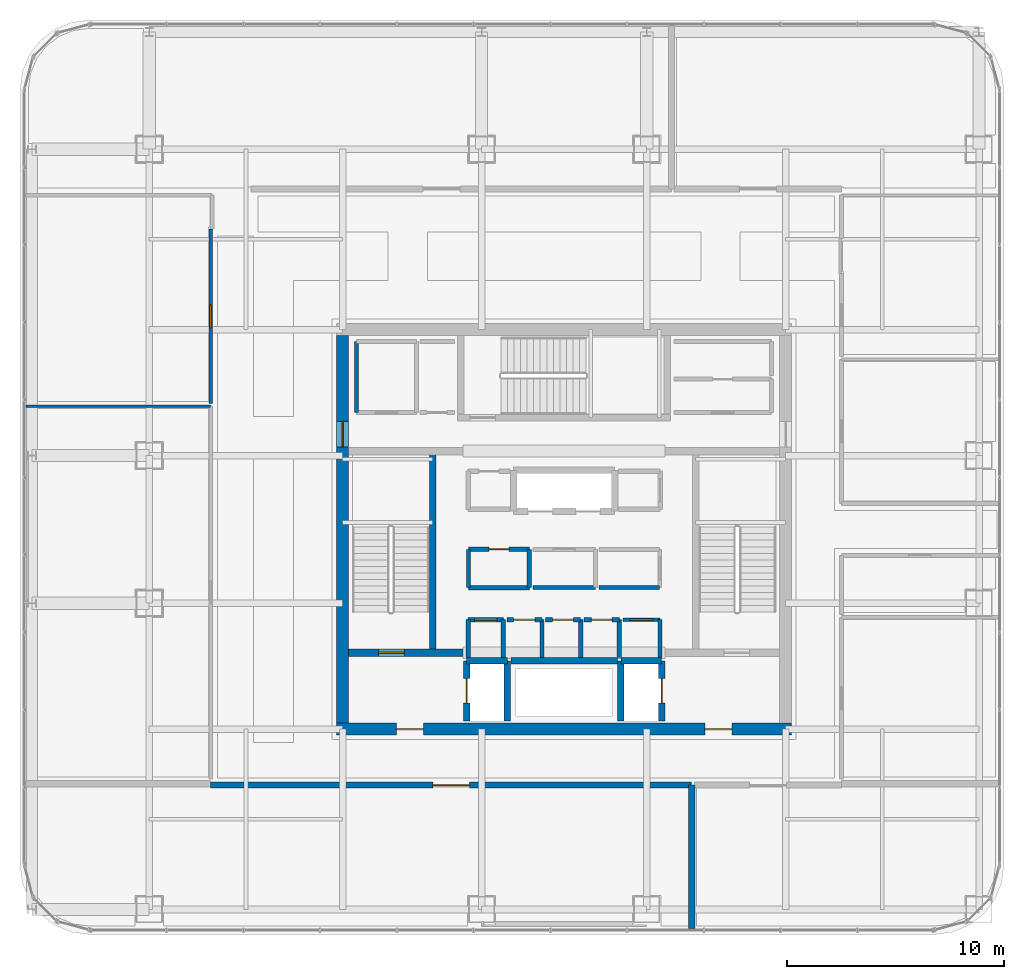
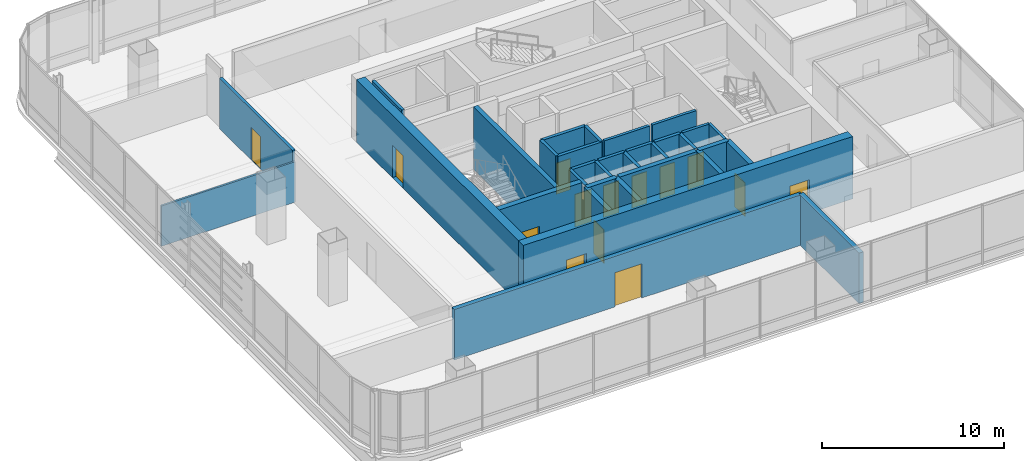
# One storey, part 34 of 42: 33 walls, 14 doors, 14 openings.
"""IFC4 building model written with IfcOpenShell, lengths in metres."""

from ifc_helpers import new_model, si_unit, direction, frame, frame_2d, origin, place, context, subcontext, project, spatial, rectangle, extrude, material, layer, layer_set, type_object, element, fill, save


model = new_model("IFC4")

# Units and contexts
model_context = context("Model", 3, precision=1e-05, world=origin(), true_north=direction((0.0, 1.0)))
body_context = subcontext(model_context, "Body", "Model", "MODEL_VIEW")
ifc_project = project(units=[si_unit("LENGTHUNIT", "METRE"), si_unit("AREAUNIT", "SQUARE_METRE"), si_unit("VOLUMEUNIT", "CUBIC_METRE"), si_unit("PLANEANGLEUNIT", "RADIAN"), si_unit("MASSUNIT", "GRAM", prefix="KILO")], contexts=[model_context])

# Site, building, storey
site_placement = place(None, origin())
site = spatial("IfcSite", under=ifc_project, at=site_placement, CompositionType="ELEMENT")
building_placement = place(site_placement, origin())
building = spatial("IfcBuilding", under=site, at=building_placement, Name="Punatoya Terracotta Tower", CompositionType="ELEMENT")
storey_placement = place(building_placement, frame((0.0, 0.0, 304.800048828125)))
storey = spatial("IfcBuildingStorey", under=building, at=storey_placement, Name="L72", CompositionType="ELEMENT", Elevation=304.800048828125)

# Wall, opening, door
ifc_material_1 = material(Name="Concrete C40/50", Category="concrete")
ifc_layer_1 = layer(ifc_material_1, 0.280029296875)
ifc_layer_set_1 = layer_set([ifc_layer_1], Name="Concrete C40/50")
wall_type_1 = type_object("IfcWallType", Name="WL-AUD-280", PredefinedType="SOLIDWALL", material=ifc_layer_set_1)
wall_1_placement = place(storey_placement, frame((-16.27001953125, -11.77001953125, 0.0), z_axis=(0.0, 0.0, 1.0), x_axis=(1.0, 0.0, 0.0)))
wall_1 = element("IfcWall", 1, at=wall_1_placement, inside=storey, type_object=wall_type_1, Name="L72 Client Dining Salon Partition 40", PredefinedType="SOLIDWALL", context=body_context, shape_type="SweptSolid", body=[
    extrude(rectangle(XDim=22.14404296875, YDim=0.280029296875, at=frame_2d((11.072021484375, 0.0))), origin(), (0.0, 0.0, 1.0), 3.39404296875),
])
opening_1_placement = place(wall_1_placement, frame((10.221923828125, 0.0, 0.0)))
opening_1 = element("IfcOpeningElement", 2, at=opening_1_placement, cuts=wall_1, Name="Opening FD-D1", PredefinedType="OPENING", context=body_context, shape_type="SweptSolid", body=[
    extrude(rectangle(XDim=1.699951171875, YDim=2.300048828125, at=frame_2d((0.85009765625, 1.14990234375))), frame((0.0, 0.14990234375, 0.0), z_axis=(0.0, -1.0, 0.0), x_axis=(1.0, 0.0, 0.0)), (0.0, 0.0, 1.0), 0.300048828125),
])
ifc_material_2 = material(Name="Timber Teak Veneer Fire Leaf", Category="wood")
door_type_1 = type_object("IfcDoorType", Name="DR-DIN-1700", OperationType="NOTDEFINED", PredefinedType="DOOR", material=ifc_material_2)
door_1_placement = place(opening_1_placement, origin())
door_1 = element("IfcDoor", 3, at=door_1_placement, inside=storey, type_object=door_type_1, Name="L72 Client Dining Salon Fire Door", OperationType="DOUBLE_DOOR_SINGLE_SWING", OverallHeight=2.300048828125, OverallWidth=1.699951171875, PredefinedType="DOOR", context=body_context, shape_type="SweptSolid", body=[
    extrude(rectangle(XDim=1.699951171875, YDim=2.300048828125, at=frame_2d((0.85009765625, 1.14990234375))), frame((0.0, 0.02490234375, 0.0), z_axis=(0.0, -1.0, 0.0), x_axis=(1.0, 0.0, 0.0)), (0.0, 0.0, 1.0), 0.050048828125),
])
fill(opening_1, door_1)

# Wall
wall_2_placement = place(storey_placement, frame((5.8740234375, -11.77001953125, 0.0), z_axis=(0.0, 0.0, 1.0), x_axis=(0.0, -1.0, 0.0)))
element("IfcWall", 4, at=wall_2_placement, inside=storey, type_object=wall_type_1, Name="L72 Client Dining Salon Partition 41", PredefinedType="SOLIDWALL", context=body_context, shape_type="SweptSolid", body=[
    extrude(rectangle(XDim=6.60009765625, YDim=0.280029296875, at=frame_2d((3.300048828125, 0.0))), origin(), (0.0, 0.0, 1.0), 3.39404296875),
])

# Wall, openings, doors
ifc_material_3 = material(Name="Concrete C50/60", Category="concrete")
ifc_layer_2 = layer(ifc_material_3, 0.550048828125)
ifc_layer_set_2 = layer_set([ifc_layer_2], Name="Concrete C50/60")
wall_type_2 = type_object("IfcWallType", Name="WL-COR-550", PredefinedType="SHEAR", material=ifc_layer_set_2)
wall_3_placement = place(storey_placement, frame((10.47509765625, -9.199951171875, 0.0), z_axis=(0.0, 0.0, 1.0), x_axis=(-1.0, 0.0, 0.0)))
wall_3 = element("IfcWall", 5, at=wall_3_placement, inside=storey, type_object=wall_type_2, Name="L72 Core Shear Wall S", PredefinedType="SHEAR", context=body_context, shape_type="SweptSolid", body=[
    extrude(rectangle(XDim=20.9501953125, YDim=0.550048828125, at=frame_2d((10.47509765625, 0.0))), origin(), (0.0, 0.0, 1.0), 4.199951171875),
])
opening_2_placement = place(wall_3_placement, frame((2.75, 0.0, 0.0)))
opening_2 = element("IfcOpeningElement", 6, at=opening_2_placement, cuts=wall_3, Name="Opening FD-L1", PredefinedType="OPENING", context=body_context, shape_type="SweptSolid", body=[
    extrude(rectangle(XDim=1.25, YDim=2.25, at=frame_2d((0.625, 1.125))), frame((0.0, 0.284912109375, 0.0), z_axis=(0.0, -1.0, 0.0), x_axis=(1.0, 0.0, 0.0)), (0.0, 0.0, 1.0), 0.570068359375),
])
opening_3_placement = place(wall_3_placement, frame((16.949951171875, 0.0, 0.0)))
opening_3 = element("IfcOpeningElement", 7, at=opening_3_placement, cuts=wall_3, Name="Opening FD-L1", PredefinedType="OPENING", context=body_context, shape_type="SweptSolid", body=[
    extrude(rectangle(XDim=1.25, YDim=2.25, at=frame_2d((0.625, 1.125))), frame((0.0, 0.284912109375, 0.0), z_axis=(0.0, -1.0, 0.0), x_axis=(1.0, 0.0, 0.0)), (0.0, 0.0, 1.0), 0.570068359375),
])
ifc_material_4 = material(Name="Galvanised Steel Smokeproof Fire Door", Category="steel")
door_type_2 = type_object("IfcDoorType", Name="DR-FFL-1250", OperationType="NOTDEFINED", PredefinedType="DOOR", material=ifc_material_4)
door_2_placement = place(opening_2_placement, origin())
door_2 = element("IfcDoor", 8, at=door_2_placement, inside=storey, type_object=door_type_2, Name="L72 East Firefighting Lobby Corridor Fire Door", OperationType="SINGLE_SWING_LEFT", OverallHeight=2.25, OverallWidth=1.25, PredefinedType="DOOR", context=body_context, shape_type="SweptSolid", body=[
    extrude(rectangle(XDim=1.25, YDim=2.25, at=frame_2d((0.625, 1.125))), frame((0.0, 0.02490234375, 0.0), z_axis=(0.0, -1.0, 0.0), x_axis=(1.0, 0.0, 0.0)), (0.0, 0.0, 1.0), 0.050048828125),
])
fill(opening_2, door_2)
door_3_placement = place(opening_3_placement, origin())
door_3 = element("IfcDoor", 9, at=door_3_placement, inside=storey, type_object=door_type_2, Name="L72 West Firefighting Lobby Corridor Fire Door", OperationType="SINGLE_SWING_RIGHT", OverallHeight=2.25, OverallWidth=1.25, PredefinedType="DOOR", context=body_context, shape_type="SweptSolid", body=[
    extrude(rectangle(XDim=1.25, YDim=2.25, at=frame_2d((0.625, 1.125))), frame((0.0, 0.02490234375, 0.0), z_axis=(0.0, -1.0, 0.0), x_axis=(1.0, 0.0, 0.0)), (0.0, 0.0, 1.0), 0.050048828125),
])
fill(opening_3, door_3)

# Wall, opening, door
wall_4_placement = place(storey_placement, frame((-10.199951171875, -8.925048828125, 0.0), z_axis=(0.0, 0.0, 1.0), x_axis=(0.0, 1.0, 0.0)))
wall_4 = element("IfcWall", 10, at=wall_4_placement, inside=storey, type_object=wall_type_2, Name="L72 Core Shear Wall W", PredefinedType="SHEAR", context=body_context, shape_type="SweptSolid", body=[
    extrude(rectangle(XDim=17.85009765625, YDim=0.550048828125, at=frame_2d((8.925048828125, 0.0))), origin(), (0.0, 0.0, 1.0), 4.199951171875),
])
opening_4_placement = place(wall_4_placement, frame((12.715087890625, 0.0, 0.0)))
opening_4 = element("IfcOpeningElement", 11, at=opening_4_placement, cuts=wall_4, Name="Opening SD-01", PredefinedType="OPENING", context=body_context, shape_type="SweptSolid", body=[
    extrude(rectangle(XDim=1.179931640625, YDim=2.199951171875, at=frame_2d((0.58984375, 1.10009765625))), frame((0.0, 0.284912109375, 0.0), z_axis=(0.0, -1.0, 0.0), x_axis=(1.0, 0.0, 0.0)), (0.0, 0.0, 1.0), 0.570068359375),
])
ifc_material_5 = material(Name="Galvanised Steel Pressurized Stair Fire Door", Category="steel")
door_type_3 = type_object("IfcDoorType", Name="DR-STR-1180", OperationType="NOTDEFINED", PredefinedType="DOOR", material=ifc_material_5)
door_4_placement = place(opening_4_placement, origin())
door_4 = element("IfcDoor", 12, at=door_4_placement, inside=storey, type_object=door_type_3, Name="L72 Central Lift Lobby West Fire Door", OperationType="SINGLE_SWING_LEFT", OverallHeight=2.199951171875, OverallWidth=1.179931640625, PredefinedType="DOOR", context=body_context, shape_type="SweptSolid", body=[
    extrude(rectangle(XDim=1.179931640625, YDim=2.199951171875, at=frame_2d((0.58984375, 1.10009765625))), frame((0.0, 0.02490234375, 0.0), z_axis=(0.0, -1.0, 0.0), x_axis=(1.0, 0.0, 0.0)), (0.0, 0.0, 1.0), 0.050048828125),
])
fill(opening_4, door_4)

# Wall
ifc_material_6 = material(Name="Gypsum Fireboard + Steel Stud", Category="steel")
ifc_layer_3 = layer(ifc_material_6, 0.179931640625)
ifc_layer_set_3 = layer_set([ifc_layer_3], Name="Gypsum Fireboard + Steel Stud")
wall_type_3 = type_object("IfcWallType", Name="WL-CORR-180", PredefinedType="PARTITIONING", material=ifc_layer_set_3)
wall_5_placement = place(storey_placement, frame((4.419921875, -5.89990234375, 0.0), z_axis=(0.0, 0.0, 1.0), x_axis=(0.0, 1.0, 0.0)))
element("IfcWall", 13, at=wall_5_placement, inside=storey, type_object=wall_type_3, Name="L72 Core Focus Booth Partition 10", PredefinedType="PARTITIONING", context=body_context, shape_type="SweptSolid", body=[
    extrude(rectangle(XDim=1.739990234375, YDim=0.179931640625, at=frame_2d((0.8701171875, 0.0))), origin(), (0.0, 0.0, 1.0), 4.0),
])

# Wall, opening, door
wall_6_placement = place(storey_placement, frame((4.419921875, -4.159912109375, 0.0), z_axis=(0.0, 0.0, 1.0), x_axis=(-1.0, 0.0, 0.0)))
wall_6 = element("IfcWall", 14, at=wall_6_placement, inside=storey, type_object=wall_type_3, Name="L72 Core Focus Booth Partition 11", PredefinedType="PARTITIONING", context=body_context, shape_type="SweptSolid", body=[
    extrude(rectangle(XDim=1.719970703125, YDim=0.179931640625, at=frame_2d((0.85986328125, 0.0))), origin(), (0.0, 0.0, 1.0), 4.0),
])
opening_5_placement = place(wall_6_placement, frame((0.35009765625, 0.0, 0.0)))
opening_5 = element("IfcOpeningElement", 15, at=opening_5_placement, cuts=wall_6, Name="Opening MD-01", PredefinedType="OPENING", context=body_context, shape_type="SweptSolid", body=[
    extrude(rectangle(XDim=1.02001953125, YDim=2.199951171875, at=frame_2d((0.510009765625, 1.10009765625))), frame((0.0, 0.099853515625, 0.0), z_axis=(0.0, -1.0, 0.0), x_axis=(1.0, 0.0, 0.0)), (0.0, 0.0, 1.0), 0.199951171875),
])
ifc_material_7 = material(Name="Aluminium + Acoustic Glass Leaf", Category="aluminium")
door_type_4 = type_object("IfcDoorType", Name="DR-MTG-1020", OperationType="NOTDEFINED", PredefinedType="DOOR", material=ifc_material_7)
door_5_placement = place(opening_5_placement, origin())
door_5 = element("IfcDoor", 16, at=door_5_placement, inside=storey, type_object=door_type_4, Name="L72 Focus Booth Door", OperationType="SINGLE_SWING_RIGHT", OverallHeight=2.199951171875, OverallWidth=1.02001953125, PredefinedType="DOOR", context=body_context, shape_type="SweptSolid", body=[
    extrude(rectangle(XDim=1.02001953125, YDim=2.199951171875, at=frame_2d((0.510009765625, 1.10009765625))), frame((0.0, 0.02490234375, 0.0), z_axis=(0.0, -1.0, 0.0), x_axis=(1.0, 0.0, 0.0)), (0.0, 0.0, 1.0), 0.050048828125),
])
fill(opening_5, door_5)

# Walls
wall_7_placement = place(storey_placement, frame((-1.43994140625, -2.679931640625, 0.0), z_axis=(0.0, 0.0, 1.0), x_axis=(1.0, 0.0, 0.0)))
element("IfcWall", 17, at=wall_7_placement, inside=storey, type_object=wall_type_3, Name="L72 Center Core Briefing Pod Partition 18", PredefinedType="PARTITIONING", context=body_context, shape_type="SweptSolid", body=[
    extrude(rectangle(XDim=2.8798828125, YDim=0.179931640625, at=frame_2d((1.43994140625, 0.0))), origin(), (0.0, 0.0, 1.0), 4.0),
])
wall_8_placement = place(storey_placement, frame((1.60009765625, -2.679931640625, 0.0), z_axis=(0.0, 0.0, 1.0), x_axis=(1.0, 0.0, 0.0)))
element("IfcWall", 18, at=wall_8_placement, inside=storey, type_object=wall_type_3, Name="L72 Right Core Copy Room Partition 21", PredefinedType="PARTITIONING", context=body_context, shape_type="SweptSolid", body=[
    extrude(rectangle(XDim=2.7998046875, YDim=0.179931640625, at=frame_2d((1.39990234375, 0.0))), origin(), (0.0, 0.0, 1.0), 4.0),
])
wall_9_placement = place(storey_placement, frame((-9.550048828125, 8.64990234375, 0.0), z_axis=(0.0, 0.0, 1.0), x_axis=(0.0, -1.0, 0.0)))
element("IfcWall", 19, at=wall_9_placement, inside=storey, type_object=wall_type_3, Name="L72 West Core Briefing Pod Partition 30", PredefinedType="PARTITIONING", context=body_context, shape_type="SweptSolid", body=[
    extrude(rectangle(XDim=3.27001953125, YDim=0.179931640625, at=frame_2d((1.635009765625, 0.0))), origin(), (0.0, 0.0, 1.0), 4.0),
])

# Wall, opening, door
wall_10_placement = place(storey_placement, frame((-16.27001953125, 13.820068359375, 0.0), z_axis=(0.0, 0.0, 1.0), x_axis=(0.0, -1.0, 0.0)))
wall_10 = element("IfcWall", 20, at=wall_10_placement, inside=storey, type_object=wall_type_3, Name="L72 Barista Espresso Pantry Partition 55", PredefinedType="PARTITIONING", context=body_context, shape_type="SweptSolid", body=[
    extrude(rectangle(XDim=8.030029296875, YDim=0.179931640625, at=frame_2d((4.01513671875, 0.0))), origin(), (0.0, 0.0, 1.0), 3.39404296875),
])
opening_6_placement = place(wall_10_placement, frame((3.489990234375, 0.0, 0.0)))
opening_6 = element("IfcOpeningElement", 21, at=opening_6_placement, cuts=wall_10, Name="Opening OD-01", PredefinedType="OPENING", context=body_context, shape_type="SweptSolid", body=[
    extrude(rectangle(XDim=1.050048828125, YDim=2.199951171875, at=frame_2d((0.52490234375, 1.10009765625))), frame((0.0, 0.099853515625, 0.0), z_axis=(0.0, -1.0, 0.0), x_axis=(1.0, 0.0, 0.0)), (0.0, 0.0, 1.0), 0.199951171875),
])
ifc_material_8 = material(Name="Bengal Teak Solid-Core Leaf")
door_type_5 = type_object("IfcDoorType", Name="DR-OFF-1050", OperationType="NOTDEFINED", PredefinedType="DOOR", material=ifc_material_8)
door_6_placement = place(opening_6_placement, origin())
door_6 = element("IfcDoor", 22, at=door_6_placement, inside=storey, type_object=door_type_5, Name="L72 Barista Espresso Pantry Door", OperationType="SINGLE_SWING_RIGHT", OverallHeight=2.199951171875, OverallWidth=1.050048828125, PredefinedType="DOOR", context=body_context, shape_type="SweptSolid", body=[
    extrude(rectangle(XDim=1.050048828125, YDim=2.199951171875, at=frame_2d((0.52490234375, 1.10009765625))), frame((0.0, 0.02490234375, 0.0), z_axis=(0.0, -1.0, 0.0), x_axis=(1.0, 0.0, 0.0)), (0.0, 0.0, 1.0), 0.050048828125),
])
fill(opening_6, door_6)

# Wall
ifc_layer_4 = layer(ifc_material_1, 0.199951171875)
ifc_layer_set_4 = layer_set([ifc_layer_4], Name="Concrete C40/50")
wall_type_4 = type_object("IfcWallType", Name="WL-INT-200", PredefinedType="SOLIDWALL", material=ifc_layer_set_4)
wall_11_placement = place(storey_placement, frame((-2.800048828125, -5.89990234375, 0.0), z_axis=(0.0, 0.0, 1.0), x_axis=(0.0, 1.0, 0.0)))
element("IfcWall", 23, at=wall_11_placement, inside=storey, type_object=wall_type_4, Name="L72 Core Tea Pantry Partition 01", PredefinedType="SOLIDWALL", context=body_context, shape_type="SweptSolid", body=[
    extrude(rectangle(XDim=1.739990234375, YDim=0.199951171875, at=frame_2d((0.8701171875, 0.0))), origin(), (0.0, 0.0, 1.0), 4.0),
])

# Wall, opening, door
wall_12_placement = place(storey_placement, frame((-2.800048828125, -4.159912109375, 0.0), z_axis=(0.0, 0.0, 1.0), x_axis=(-1.0, 0.0, 0.0)))
wall_12 = element("IfcWall", 24, at=wall_12_placement, inside=storey, type_object=wall_type_4, Name="L72 Core Tea Pantry Partition 02", PredefinedType="SOLIDWALL", context=body_context, shape_type="SweptSolid", body=[
    extrude(rectangle(XDim=1.619873046875, YDim=0.199951171875, at=frame_2d((0.81005859375, 0.0))), origin(), (0.0, 0.0, 1.0), 4.0),
])
opening_7_placement = place(wall_12_placement, frame((0.284912109375, 0.0, 0.0)))
opening_7 = element("IfcOpeningElement", 25, at=opening_7_placement, cuts=wall_12, Name="Opening OD-01", PredefinedType="OPENING", context=body_context, shape_type="SweptSolid", body=[
    extrude(rectangle(XDim=1.050048828125, YDim=2.199951171875, at=frame_2d((0.52490234375, 1.10009765625))), frame((0.0, 0.10986328125, 0.0), z_axis=(0.0, -1.0, 0.0), x_axis=(1.0, 0.0, 0.0)), (0.0, 0.0, 1.0), 0.219970703125),
])
door_7_placement = place(opening_7_placement, origin())
door_7 = element("IfcDoor", 26, at=door_7_placement, inside=storey, type_object=door_type_5, Name="L72 Tea Pantry Door", OperationType="SINGLE_SWING_RIGHT", OverallHeight=2.199951171875, OverallWidth=1.050048828125, PredefinedType="DOOR", context=body_context, shape_type="SweptSolid", body=[
    extrude(rectangle(XDim=1.050048828125, YDim=2.199951171875, at=frame_2d((0.52490234375, 1.10009765625))), frame((0.0, 0.02490234375, 0.0), z_axis=(0.0, -1.0, 0.0), x_axis=(1.0, 0.0, 0.0)), (0.0, 0.0, 1.0), 0.050048828125),
])
fill(opening_7, door_7)

# Walls
for number, where, z_axis, x_axis, name in (
    (27, (-4.419921875, -4.159912109375, 0.0), (0.0, 0.0, 1.0), (0.0, -1.0, 0.0), "L72 Core Tea Pantry Partition 03"),
    (28, (-1.02001953125, -5.89990234375, 0.0), (0.0, 0.0, 1.0), (0.0, 1.0, 0.0), "L72 Accessible Washroom Partition 04"),
):
    element("IfcWall", number, at=place(storey_placement, frame(where, z_axis=z_axis, x_axis=x_axis)), inside=storey, type_object=wall_type_4, Name=name, PredefinedType="SOLIDWALL", context=body_context, shape_type="SweptSolid", body=[
        extrude(rectangle(XDim=1.739990234375, YDim=0.199951171875, at=frame_2d((0.8701171875, 0.0))), origin(), (0.0, 0.0, 1.0), 4.0),
    ])

# Wall, opening, door
wall_13_placement = place(storey_placement, frame((-1.02001953125, -4.159912109375, 0.0), z_axis=(0.0, 0.0, 1.0), x_axis=(-1.0, 0.0, 0.0)))
wall_13 = element("IfcWall", 29, at=wall_13_placement, inside=storey, type_object=wall_type_4, Name="L72 Accessible Washroom Partition 05", PredefinedType="SOLIDWALL", context=body_context, shape_type="SweptSolid", body=[
    extrude(rectangle(XDim=1.619873046875, YDim=0.199951171875, at=frame_2d((0.81005859375, 0.0))), origin(), (0.0, 0.0, 1.0), 4.0),
])
opening_8_placement = place(wall_13_placement, frame((0.31005859375, 0.0, 0.0)))
opening_8 = element("IfcOpeningElement", 30, at=opening_8_placement, cuts=wall_13, Name="Opening AWD-1", PredefinedType="OPENING", context=body_context, shape_type="SweptSolid", body=[
    extrude(rectangle(XDim=1.0, YDim=2.14990234375, at=frame_2d((0.5, 1.074951171875))), frame((0.0, 0.10986328125, 0.0), z_axis=(0.0, -1.0, 0.0), x_axis=(1.0, 0.0, 0.0)), (0.0, 0.0, 1.0), 0.219970703125),
])
ifc_material_9 = material(Name="Bengal Teak Accessible WC Leaf")
door_type_6 = type_object("IfcDoorType", Name="DR-ACC-1000", OperationType="NOTDEFINED", PredefinedType="DOOR", material=ifc_material_9)
door_8_placement = place(opening_8_placement, origin())
door_8 = element("IfcDoor", 31, at=door_8_placement, inside=storey, type_object=door_type_6, Name="L72 Accessible Washroom Door", OperationType="SINGLE_SWING_LEFT", OverallHeight=2.14990234375, OverallWidth=1.0, PredefinedType="DOOR", context=body_context, shape_type="SweptSolid", body=[
    extrude(rectangle(XDim=1.0, YDim=2.14990234375, at=frame_2d((0.5, 1.074951171875))), frame((0.0, 0.02490234375, 0.0), z_axis=(0.0, -1.0, 0.0), x_axis=(1.0, 0.0, 0.0)), (0.0, 0.0, 1.0), 0.050048828125),
])
fill(opening_8, door_8)

# Wall
wall_14_placement = place(storey_placement, frame((0.760009765625, -5.89990234375, 0.0), z_axis=(0.0, 0.0, 1.0), x_axis=(0.0, 1.0, 0.0)))
element("IfcWall", 32, at=wall_14_placement, inside=storey, type_object=wall_type_4, Name="L72 Female Washroom Partition 06", PredefinedType="SOLIDWALL", context=body_context, shape_type="SweptSolid", body=[
    extrude(rectangle(XDim=1.739990234375, YDim=0.199951171875, at=frame_2d((0.8701171875, 0.0))), origin(), (0.0, 0.0, 1.0), 4.0),
])

# Wall, opening, door
wall_15_placement = place(storey_placement, frame((0.760009765625, -4.159912109375, 0.0), z_axis=(0.0, 0.0, 1.0), x_axis=(-1.0, 0.0, 0.0)))
wall_15 = element("IfcWall", 33, at=wall_15_placement, inside=storey, type_object=wall_type_4, Name="L72 Female Washroom Partition 07", PredefinedType="SOLIDWALL", context=body_context, shape_type="SweptSolid", body=[
    extrude(rectangle(XDim=1.6201171875, YDim=0.199951171875, at=frame_2d((0.81005859375, 0.0))), origin(), (0.0, 0.0, 1.0), 4.0),
])
opening_9_placement = place(wall_15_placement, frame((0.3349609375, 0.0, 0.0)))
opening_9 = element("IfcOpeningElement", 34, at=opening_9_placement, cuts=wall_15, Name="Opening WD-01", PredefinedType="OPENING", context=body_context, shape_type="SweptSolid", body=[
    extrude(rectangle(XDim=0.949951171875, YDim=2.14990234375, at=frame_2d((0.47509765625, 1.074951171875))), frame((0.0, 0.10986328125, 0.0), z_axis=(0.0, -1.0, 0.0), x_axis=(1.0, 0.0, 0.0)), (0.0, 0.0, 1.0), 0.219970703125),
])
ifc_material_10 = material(Name="Moisture-Resistant Laminate Timber Leaf", Category="wood")
door_type_7 = type_object("IfcDoorType", Name="DR-WC-950", OperationType="NOTDEFINED", PredefinedType="DOOR", material=ifc_material_10)
door_9_placement = place(opening_9_placement, origin())
door_9 = element("IfcDoor", 35, at=door_9_placement, inside=storey, type_object=door_type_7, Name="L72 Female Washroom Door", OperationType="SINGLE_SWING_RIGHT", OverallHeight=2.14990234375, OverallWidth=0.949951171875, PredefinedType="DOOR", context=body_context, shape_type="SweptSolid", body=[
    extrude(rectangle(XDim=0.949951171875, YDim=2.14990234375, at=frame_2d((0.47509765625, 1.074951171875))), frame((0.0, 0.02490234375, 0.0), z_axis=(0.0, -1.0, 0.0), x_axis=(1.0, 0.0, 0.0)), (0.0, 0.0, 1.0), 0.050048828125),
])
fill(opening_9, door_9)

# Wall
wall_16_placement = place(storey_placement, frame((2.5400390625, -5.89990234375, 0.0), z_axis=(0.0, 0.0, 1.0), x_axis=(0.0, 1.0, 0.0)))
element("IfcWall", 36, at=wall_16_placement, inside=storey, type_object=wall_type_4, Name="L72 Male Washroom Partition 08", PredefinedType="SOLIDWALL", context=body_context, shape_type="SweptSolid", body=[
    extrude(rectangle(XDim=1.739990234375, YDim=0.199951171875, at=frame_2d((0.8701171875, 0.0))), origin(), (0.0, 0.0, 1.0), 4.0),
])

# Wall, opening, door
wall_17_placement = place(storey_placement, frame((2.5400390625, -4.159912109375, 0.0), z_axis=(0.0, 0.0, 1.0), x_axis=(-1.0, 0.0, 0.0)))
wall_17 = element("IfcWall", 37, at=wall_17_placement, inside=storey, type_object=wall_type_4, Name="L72 Male Washroom Partition 09", PredefinedType="SOLIDWALL", context=body_context, shape_type="SweptSolid", body=[
    extrude(rectangle(XDim=1.6201171875, YDim=0.199951171875, at=frame_2d((0.81005859375, 0.0))), origin(), (0.0, 0.0, 1.0), 4.0),
])
opening_10_placement = place(wall_17_placement, frame((0.3349609375, 0.0, 0.0)))
opening_10 = element("IfcOpeningElement", 38, at=opening_10_placement, cuts=wall_17, Name="Opening WD-01", PredefinedType="OPENING", context=body_context, shape_type="SweptSolid", body=[
    extrude(rectangle(XDim=0.949951171875, YDim=2.14990234375, at=frame_2d((0.47509765625, 1.074951171875))), frame((0.0, 0.10986328125, 0.0), z_axis=(0.0, -1.0, 0.0), x_axis=(1.0, 0.0, 0.0)), (0.0, 0.0, 1.0), 0.219970703125),
])
door_10_placement = place(opening_10_placement, origin())
door_10 = element("IfcDoor", 39, at=door_10_placement, inside=storey, type_object=door_type_7, Name="L72 Male Washroom Door", OperationType="SINGLE_SWING_LEFT", OverallHeight=2.14990234375, OverallWidth=0.949951171875, PredefinedType="DOOR", context=body_context, shape_type="SweptSolid", body=[
    extrude(rectangle(XDim=0.949951171875, YDim=2.14990234375, at=frame_2d((0.47509765625, 1.074951171875))), frame((0.0, 0.02490234375, 0.0), z_axis=(0.0, -1.0, 0.0), x_axis=(1.0, 0.0, 0.0)), (0.0, 0.0, 1.0), 0.050048828125),
])
fill(opening_10, door_10)

# Wall
wall_18_placement = place(storey_placement, frame((-1.60009765625, -2.679931640625, 0.0), z_axis=(0.0, 0.0, 1.0), x_axis=(0.0, 1.0, 0.0)))
element("IfcWall", 40, at=wall_18_placement, inside=storey, type_object=wall_type_4, Name="L72 Left Core Store Partition 12", PredefinedType="SOLIDWALL", context=body_context, shape_type="SweptSolid", body=[
    extrude(rectangle(XDim=1.760009765625, YDim=0.199951171875, at=frame_2d((0.8798828125, 0.0))), origin(), (0.0, 0.0, 1.0), 4.0),
])

# Wall, opening, door
wall_19_placement = place(storey_placement, frame((-1.60009765625, -0.919921875, 0.0), z_axis=(0.0, 0.0, 1.0), x_axis=(-1.0, 0.0, 0.0)))
wall_19 = element("IfcWall", 41, at=wall_19_placement, inside=storey, type_object=wall_type_4, Name="L72 Left Core Store Partition 13", PredefinedType="SOLIDWALL", context=body_context, shape_type="SweptSolid", body=[
    extrude(rectangle(XDim=2.7998046875, YDim=0.199951171875, at=frame_2d((1.39990234375, 0.0))), origin(), (0.0, 0.0, 1.0), 4.0),
])
opening_11_placement = place(wall_19_placement, frame((0.93994140625, 0.0, 0.0)))
opening_11 = element("IfcOpeningElement", 42, at=opening_11_placement, cuts=wall_19, Name="Opening FD-R1", PredefinedType="OPENING", context=body_context, shape_type="SweptSolid", body=[
    extrude(rectangle(XDim=0.919921875, YDim=2.10009765625, at=frame_2d((0.4599609375, 1.050048828125))), frame((0.0, 0.10986328125, 0.0), z_axis=(0.0, -1.0, 0.0), x_axis=(1.0, 0.0, 0.0)), (0.0, 0.0, 1.0), 0.219970703125),
])
ifc_material_11 = material(Name="Galvanised Steel Riser Fire Access Door", Category="steel")
door_type_8 = type_object("IfcDoorType", Name="DR-RSR-920", OperationType="NOTDEFINED", PredefinedType="DOOR", material=ifc_material_11)
door_11_placement = place(opening_11_placement, origin())
door_11 = element("IfcDoor", 43, at=door_11_placement, inside=storey, type_object=door_type_8, Name="L72 Left Core Store Fire Door", OperationType="SINGLE_SWING_LEFT", OverallHeight=2.10009765625, OverallWidth=0.919921875, PredefinedType="DOOR", context=body_context, shape_type="SweptSolid", body=[
    extrude(rectangle(XDim=0.919921875, YDim=2.10009765625, at=frame_2d((0.4599609375, 1.050048828125))), frame((0.0, 0.02490234375, 0.0), z_axis=(0.0, -1.0, 0.0), x_axis=(1.0, 0.0, 0.0)), (0.0, 0.0, 1.0), 0.050048828125),
])
fill(opening_11, door_11)

# Walls
wall_20_placement = place(storey_placement, frame((-4.39990234375, -0.919921875, 0.0), z_axis=(0.0, 0.0, 1.0), x_axis=(0.0, -1.0, 0.0)))
element("IfcWall", 44, at=wall_20_placement, inside=storey, type_object=wall_type_4, Name="L72 Left Core Store Partition 14", PredefinedType="SOLIDWALL", context=body_context, shape_type="SweptSolid", body=[
    extrude(rectangle(XDim=1.760009765625, YDim=0.199951171875, at=frame_2d((0.8798828125, 0.0))), origin(), (0.0, 0.0, 1.0), 4.0),
])
wall_21_placement = place(storey_placement, frame((-4.39990234375, -2.679931640625, 0.0), z_axis=(0.0, 0.0, 1.0), x_axis=(1.0, 0.0, 0.0)))
element("IfcWall", 45, at=wall_21_placement, inside=storey, type_object=wall_type_4, Name="L72 Left Core Store Partition 15", PredefinedType="SOLIDWALL", context=body_context, shape_type="SweptSolid", body=[
    extrude(rectangle(XDim=2.7998046875, YDim=0.199951171875, at=frame_2d((1.39990234375, 0.0))), origin(), (0.0, 0.0, 1.0), 4.0),
])
ifc_material_12 = material(Name="Gypsum Partition + Steel Stud", Category="steel")
ifc_layer_5 = layer(ifc_material_12, 0.1201171875)
ifc_layer_set_5 = layer_set([ifc_layer_5], Name="Gypsum Partition + Steel Stud")
wall_type_5 = type_object("IfcWallType", Name="WL-OFF-120", PredefinedType="PARTITIONING", material=ifc_layer_set_5)
wall_22_placement = place(storey_placement, frame((-24.77001953125, 5.669921875, 0.0), z_axis=(0.0, 0.0, 1.0), x_axis=(1.0, 0.0, 0.0)))
element("IfcWall", 46, at=wall_22_placement, inside=storey, type_object=wall_type_5, Name="L72 Open-Plan Visitor Reception Salon Partition 46", PredefinedType="PARTITIONING", context=body_context, shape_type="SweptSolid", body=[
    extrude(rectangle(XDim=8.5, YDim=0.1201171875, at=frame_2d((4.25, 0.0))), origin(), (0.0, 0.0, 1.0), 2.7138671875),
])
ifc_layer_6 = layer(ifc_material_1, 0.300048828125)
ifc_layer_set_6 = layer_set([ifc_layer_6], Name="Concrete C40/50")
wall_type_6 = type_object("IfcWallType", Name="WL-SHF-300", PredefinedType="SOLIDWALL", material=ifc_layer_set_6)
wall_23_placement = place(storey_placement, frame((-6.050048828125, -5.5, 0.0), z_axis=(0.0, 0.0, 1.0), x_axis=(0.0, 1.0, 0.0)))
element("IfcWall", 47, at=wall_23_placement, inside=storey, type_object=wall_type_6, Name="L72 Structural Stair Shaft Wall SW-ST1-E", PredefinedType="SOLIDWALL", context=body_context, shape_type="SweptSolid", body=[
    extrude(rectangle(XDim=8.949951171875, YDim=0.300048828125, at=frame_2d((4.47509765625, 0.0))), origin(), (0.0, 0.0, 1.0), 4.199951171875),
])

# Wall, opening, door
wall_24_placement = place(storey_placement, frame((-4.489990234375, -8.820068359375, 0.0), z_axis=(0.0, 0.0, 1.0), x_axis=(0.0, 1.0, 0.0)))
wall_24 = element("IfcWall", 48, at=wall_24_placement, inside=storey, type_object=wall_type_6, Name="L72 FFL-1 Front Hoistway Wall", PredefinedType="SOLIDWALL", context=body_context, shape_type="SweptSolid", body=[
    extrude(rectangle(XDim=2.77001953125, YDim=0.300048828125, at=frame_2d((1.385009765625, 0.0))), origin(), (0.0, 0.0, 1.0), 4.0),
])
opening_12_placement = place(wall_24_placement, frame((0.824951171875, 0.0, 0.0)))
opening_12 = element("IfcOpeningElement", 49, at=opening_12_placement, cuts=wall_24, Name="Opening LD-02", PredefinedType="OPENING", context=body_context, shape_type="SweptSolid", body=[
    extrude(rectangle(XDim=1.1201171875, YDim=2.25, at=frame_2d((0.56005859375, 1.125))), frame((0.0, 0.159912109375, 0.0), z_axis=(0.0, -1.0, 0.0), x_axis=(1.0, 0.0, 0.0)), (0.0, 0.0, 1.0), 0.320068359375),
])
ifc_material_13 = material(Name="Stainless Steel Lift Landing Door", Category="steel")
door_type_9 = type_object("IfcDoorType", Name="DR-LND-1120", OperationType="NOTDEFINED", PredefinedType="DOOR", material=ifc_material_13)
door_12_placement = place(opening_12_placement, origin())
door_12 = element("IfcDoor", 50, at=door_12_placement, inside=storey, type_object=door_type_9, Name="L72 Firefighting Lift FFL-1 Sliding Landing Door", OperationType="SLIDING_TO_LEFT", OverallHeight=2.25, OverallWidth=1.1201171875, PredefinedType="DOOR", context=body_context, shape_type="SweptSolid", body=[
    extrude(rectangle(XDim=1.1201171875, YDim=2.25, at=frame_2d((0.56005859375, 1.125))), frame((0.0, 0.02490234375, 0.0), z_axis=(0.0, -1.0, 0.0), x_axis=(1.0, 0.0, 0.0)), (0.0, 0.0, 1.0), 0.050048828125),
])
fill(opening_12, door_12)

# Walls
wall_25_placement = place(storey_placement, frame((-2.610107421875, -8.820068359375, 0.0), z_axis=(0.0, 0.0, 1.0), x_axis=(0.0, 1.0, 0.0)))
element("IfcWall", 51, at=wall_25_placement, inside=storey, type_object=wall_type_6, Name="L72 FFL-1 Rear Hoistway Wall", PredefinedType="SOLIDWALL", context=body_context, shape_type="SweptSolid", body=[
    extrude(rectangle(XDim=2.77001953125, YDim=0.300048828125, at=frame_2d((1.385009765625, 0.0))), origin(), (0.0, 0.0, 1.0), 4.0),
])
wall_26_placement = place(storey_placement, frame((-4.489990234375, -6.050048828125, 0.0), z_axis=(0.0, 0.0, 1.0), x_axis=(1.0, 0.0, 0.0)))
element("IfcWall", 52, at=wall_26_placement, inside=storey, type_object=wall_type_6, Name="L72 FFL-1 North Hoistway Wall", PredefinedType="SOLIDWALL", context=body_context, shape_type="SweptSolid", body=[
    extrude(rectangle(XDim=1.8798828125, YDim=0.300048828125, at=frame_2d((0.93994140625, 0.0))), origin(), (0.0, 0.0, 1.0), 4.0),
])

# Wall, opening, door
wall_27_placement = place(storey_placement, frame((4.489990234375, -8.820068359375, 0.0), z_axis=(0.0, 0.0, 1.0), x_axis=(0.0, 1.0, 0.0)))
wall_27 = element("IfcWall", 53, at=wall_27_placement, inside=storey, type_object=wall_type_6, Name="L72 FFL-2 Front Hoistway Wall", PredefinedType="SOLIDWALL", context=body_context, shape_type="SweptSolid", body=[
    extrude(rectangle(XDim=2.77001953125, YDim=0.300048828125, at=frame_2d((1.385009765625, 0.0))), origin(), (0.0, 0.0, 1.0), 4.0),
])
opening_13_placement = place(wall_27_placement, frame((0.824951171875, 0.0, 0.0)))
opening_13 = element("IfcOpeningElement", 54, at=opening_13_placement, cuts=wall_27, Name="Opening LD-02", PredefinedType="OPENING", context=body_context, shape_type="SweptSolid", body=[
    extrude(rectangle(XDim=1.1201171875, YDim=2.25, at=frame_2d((0.56005859375, 1.125))), frame((0.0, 0.159912109375, 0.0), z_axis=(0.0, -1.0, 0.0), x_axis=(1.0, 0.0, 0.0)), (0.0, 0.0, 1.0), 0.320068359375),
])
door_13_placement = place(opening_13_placement, origin())
door_13 = element("IfcDoor", 55, at=door_13_placement, inside=storey, type_object=door_type_9, Name="L72 Firefighting Lift FFL-2 Sliding Landing Door", OperationType="SLIDING_TO_RIGHT", OverallHeight=2.25, OverallWidth=1.1201171875, PredefinedType="DOOR", context=body_context, shape_type="SweptSolid", body=[
    extrude(rectangle(XDim=1.1201171875, YDim=2.25, at=frame_2d((0.56005859375, 1.125))), frame((0.0, 0.02490234375, 0.0), z_axis=(0.0, -1.0, 0.0), x_axis=(1.0, 0.0, 0.0)), (0.0, 0.0, 1.0), 0.050048828125),
])
fill(opening_13, door_13)

# Walls
wall_28_placement = place(storey_placement, frame((2.610107421875, -8.820068359375, 0.0), z_axis=(0.0, 0.0, 1.0), x_axis=(0.0, 1.0, 0.0)))
element("IfcWall", 56, at=wall_28_placement, inside=storey, type_object=wall_type_6, Name="L72 FFL-2 Rear Hoistway Wall", PredefinedType="SOLIDWALL", context=body_context, shape_type="SweptSolid", body=[
    extrude(rectangle(XDim=2.77001953125, YDim=0.300048828125, at=frame_2d((1.385009765625, 0.0))), origin(), (0.0, 0.0, 1.0), 4.0),
])
wall_29_placement = place(storey_placement, frame((2.610107421875, -6.050048828125, 0.0), z_axis=(0.0, 0.0, 1.0), x_axis=(1.0, 0.0, 0.0)))
element("IfcWall", 57, at=wall_29_placement, inside=storey, type_object=wall_type_6, Name="L72 FFL-2 North Hoistway Wall", PredefinedType="SOLIDWALL", context=body_context, shape_type="SweptSolid", body=[
    extrude(rectangle(XDim=1.8798828125, YDim=0.300048828125, at=frame_2d((0.93994140625, 0.0))), origin(), (0.0, 0.0, 1.0), 4.0),
])
wall_30_placement = place(storey_placement, frame((-2.449951171875, -6.050048828125, 0.0), z_axis=(0.0, 0.0, 1.0), x_axis=(1.0, 0.0, 0.0)))
element("IfcWall", 58, at=wall_30_placement, inside=storey, type_object=wall_type_6, Name="L72 Observation Shuttle Rear Hoistway Wall", PredefinedType="SOLIDWALL", context=body_context, shape_type="SweptSolid", body=[
    extrude(rectangle(XDim=4.89990234375, YDim=0.300048828125, at=frame_2d((2.449951171875, 0.0))), origin(), (0.0, 0.0, 1.0), 4.0),
])

# Wall, opening, door
ifc_layer_7 = layer(ifc_material_3, 0.35009765625)
ifc_layer_set_7 = layer_set([ifc_layer_7], Name="Concrete C50/60")
wall_type_7 = type_object("IfcWallType", Name="WL-SHF-350", PredefinedType="SOLIDWALL", material=ifc_layer_set_7)
wall_31_placement = place(storey_placement, frame((-9.925048828125, -5.679931640625, 0.0), z_axis=(0.0, 0.0, 1.0), x_axis=(1.0, 0.0, 0.0)))
wall_31 = element("IfcWall", 59, at=wall_31_placement, inside=storey, type_object=wall_type_7, Name="L72 Core Web Wall CSW-L", PredefinedType="SOLIDWALL", context=body_context, shape_type="SweptSolid", body=[
    extrude(rectangle(XDim=5.275146484375, YDim=0.35009765625, at=frame_2d((2.6376953125, 0.0))), origin(), (0.0, 0.0, 1.0), 4.199951171875),
])
opening_14_placement = place(wall_31_placement, frame((1.385009765625, 0.0, 0.0)))
opening_14 = element("IfcOpeningElement", 60, at=opening_14_placement, cuts=wall_31, Name="Opening SD-01", PredefinedType="OPENING", context=body_context, shape_type="SweptSolid", body=[
    extrude(rectangle(XDim=1.179931640625, YDim=2.199951171875, at=frame_2d((0.58984375, 1.10009765625))), frame((0.0, 0.18505859375, 0.0), z_axis=(0.0, -1.0, 0.0), x_axis=(1.0, 0.0, 0.0)), (0.0, 0.0, 1.0), 0.3701171875),
])
door_14_placement = place(opening_14_placement, origin())
door_14 = element("IfcDoor", 61, at=door_14_placement, inside=storey, type_object=door_type_3, Name="L72 Stair ST-1 Smokeproof Lobby Fire Door", OperationType="SINGLE_SWING_LEFT", OverallHeight=2.199951171875, OverallWidth=1.179931640625, PredefinedType="DOOR", context=body_context, shape_type="SweptSolid", body=[
    extrude(rectangle(XDim=1.179931640625, YDim=2.199951171875, at=frame_2d((0.58984375, 1.10009765625))), frame((0.0, 0.02490234375, 0.0), z_axis=(0.0, -1.0, 0.0), x_axis=(1.0, 0.0, 0.0)), (0.0, 0.0, 1.0), 0.050048828125),
])
fill(opening_14, door_14)

save(model, "model.ifc")
